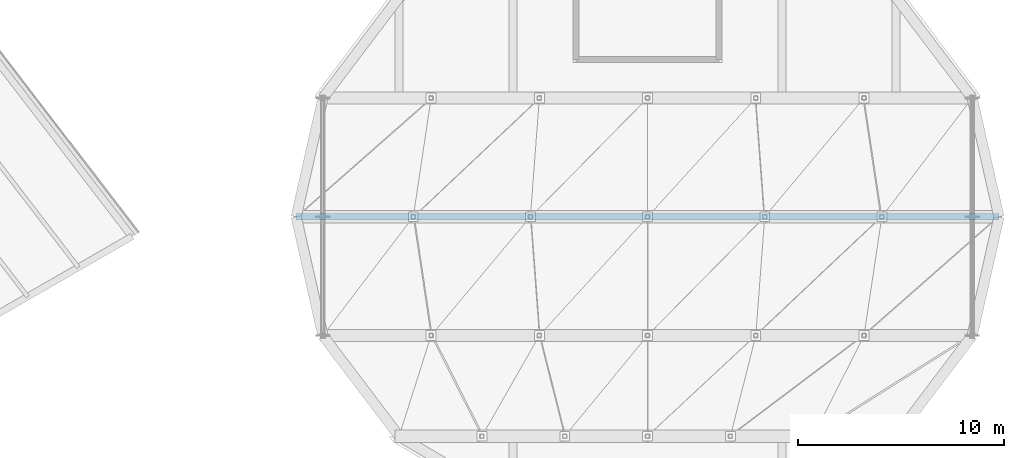
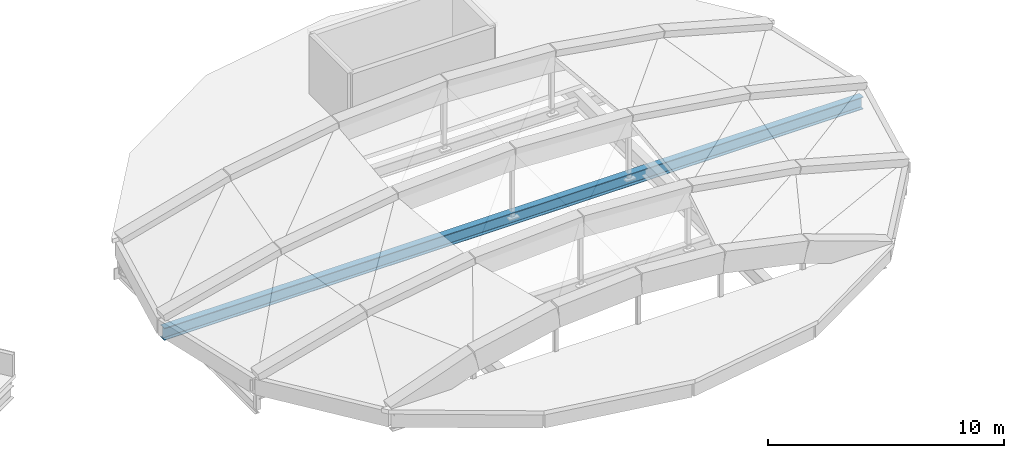
# One storey, part 62 of 88: 1 beam.
"""IFC4 building model written with IfcOpenShell, lengths in metres."""

from ifc_helpers import new_model, si_unit, direction, frame, origin, origin_2d, place, context, subcontext, project, spatial, i_section, extrude, material, material_profile, profile_set, type_object, element, save


model = new_model("IFC4")

# Units and contexts
model_context = context("Model", 3, precision=1e-05, world=origin(), true_north=direction((0.0, 1.0)))
body_context = subcontext(model_context, "Body", "Model", "MODEL_VIEW")
ifc_project = project(units=[si_unit("LENGTHUNIT", "METRE"), si_unit("AREAUNIT", "SQUARE_METRE"), si_unit("VOLUMEUNIT", "CUBIC_METRE"), si_unit("PLANEANGLEUNIT", "RADIAN"), si_unit("MASSUNIT", "GRAM", prefix="KILO")], contexts=[model_context])

# Site, building, storey
site_placement = place(None, origin())
site = spatial("IfcSite", under=ifc_project, at=site_placement, CompositionType="ELEMENT")
building_placement = place(site_placement, origin())
building = spatial("IfcBuilding", under=site, at=building_placement, Name="Vespera Passage Community Centre", CompositionType="ELEMENT")
storey_placement = place(building_placement, frame((0.0, 0.0, 16.5)))
storey = spatial("IfcBuildingStorey", under=building, at=storey_placement, Name="L04", CompositionType="ELEMENT", Elevation=16.5)

# Beam
ifc_material = material(Name="Steel ASTM A992 Grade 50", Category="steel")
ifc_material_profile = material_profile(ifc_material, i_section(OverallWidth=0.32763671875, OverallDepth=0.62841796875, WebThickness=0.0166015625, FlangeThickness=0.027587890625, FilletRadius=0.0126953125, at=origin_2d()), Name="W24X146")
ifc_profile_set = profile_set([ifc_material_profile], Name="Steel ASTM A992 Grade 50")
beam_type = type_object("IfcBeamType", Name="BM-G-W24X146", PredefinedType="BEAM", material=ifc_profile_set)
beam_placement = place(storey_placement, frame((125.89990234375, 89.5, -0.989990234375), z_axis=(1.0, 0.0, 0.0), x_axis=(0.0, 1.0, 0.0)))
element("IfcBeam", 1, at=beam_placement, inside=storey, type_object=beam_type, Name="Sports Hall Arch Tie Girder 3", PredefinedType="BEAM", context=body_context, shape_type="SweptSolid", body=[
    extrude(i_section(OverallWidth=0.32763671875, OverallDepth=0.62841796875, WebThickness=0.0166015625, FlangeThickness=0.027587890625, FilletRadius=0.0126953125, at=origin_2d()), origin(), (0.0, 0.0, 1.0), 34.2001953125),
])

save(model, "model.ifc")
